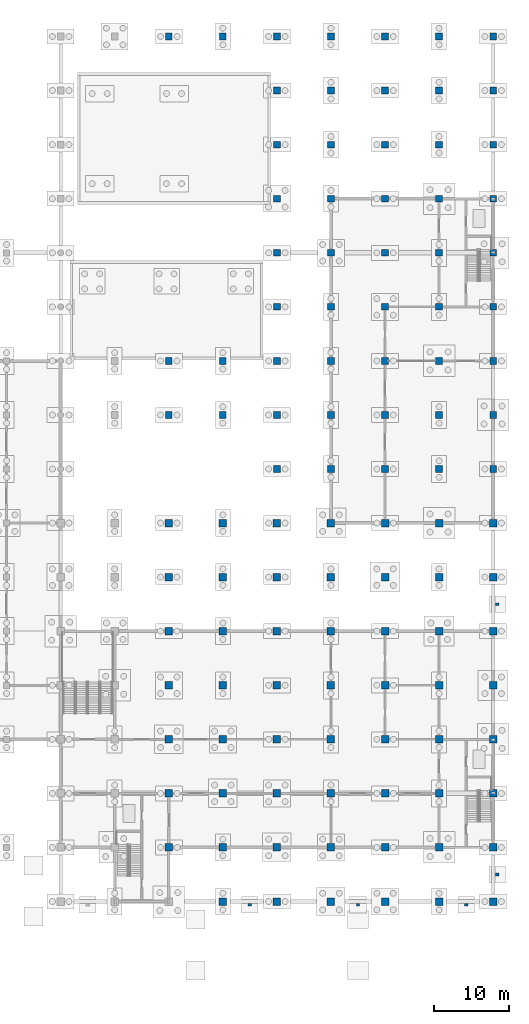
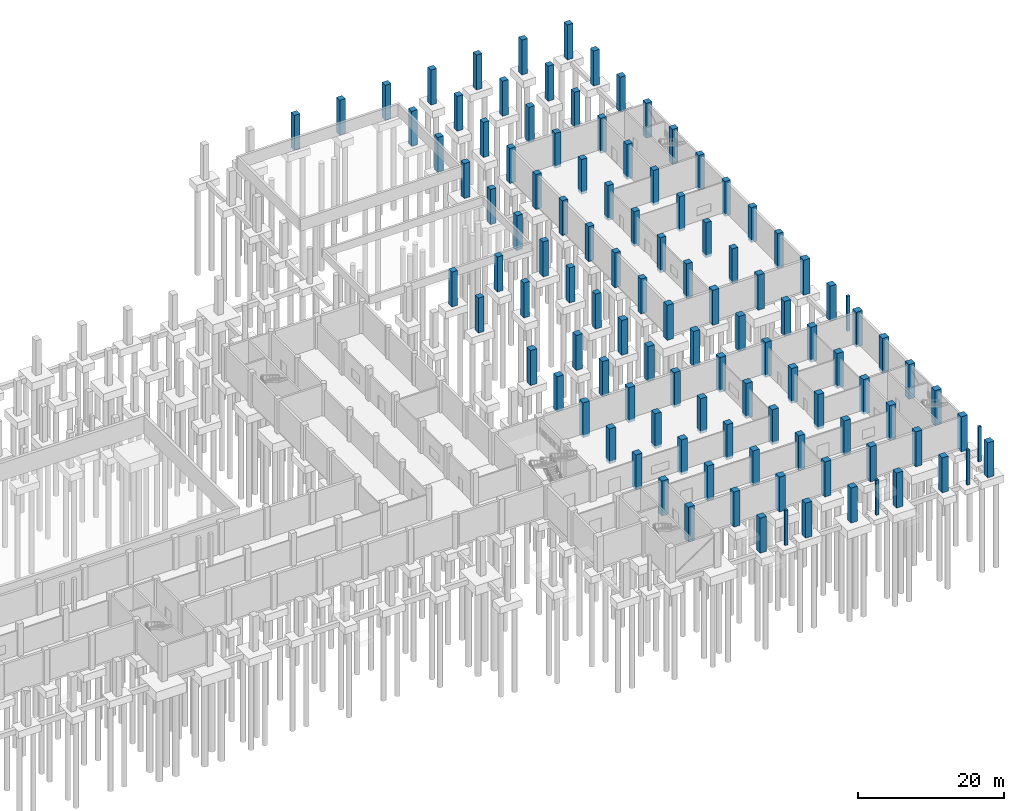
# One storey, part 12 of 35: 111 columns.
"""IFC4 building model written with IfcOpenShell, lengths in metres."""

from ifc_helpers import new_model, si_unit, direction, frame, origin, origin_2d, place, context, subcontext, project, spatial, rectangle, extrude, material, material_profile, profile_set, type_object, element, save


model = new_model("IFC4")

# Units and contexts
model_context = context("Model", 3, precision=1e-05, world=origin(), true_north=direction((0.0, 1.0)))
body_context = subcontext(model_context, "Body", "Model", "MODEL_VIEW")
ifc_project = project(units=[si_unit("LENGTHUNIT", "METRE"), si_unit("AREAUNIT", "SQUARE_METRE"), si_unit("VOLUMEUNIT", "CUBIC_METRE"), si_unit("PLANEANGLEUNIT", "RADIAN"), si_unit("MASSUNIT", "GRAM", prefix="KILO")], contexts=[model_context])

# Site, building, storey
site_placement = place(None, origin())
site = spatial("IfcSite", under=ifc_project, at=site_placement, CompositionType="ELEMENT")
building_placement = place(site_placement, origin())
building = spatial("IfcBuilding", under=site, at=building_placement, Name="Vesperath Aquatics Centre", CompositionType="ELEMENT")
storey_placement = place(building_placement, frame((0.0, 0.0, -5.39990234375)))
storey = spatial("IfcBuildingStorey", under=building, at=storey_placement, Name="B1", CompositionType="ELEMENT", Elevation=-5.39990234375)

# Columns
ifc_material = material(Name="Concrete C40", Category="concrete")
ifc_material_profile_1 = material_profile(ifc_material, rectangle(XDim=1.0, YDim=1.0, at=origin_2d()), Name="RC 1000x1000")
ifc_profile_set_1 = profile_set([ifc_material_profile_1], Name="Concrete C40")
column_type_1 = type_object("IfcColumnType", Name="CL-C02", PredefinedType="COLUMN", material=ifc_profile_set_1)
for number, where, z_axis, x_axis, name in (
    (1, (129.60009765625, 7.199951171875, -0.4501953125), (0.0, 0.0, 1.0), (1.0, 0.0, 0.0), "Column C02 B1 19/B"),
    (2, (129.60009765625, 14.39990234375, -0.4501953125), (0.0, 0.0, 1.0), (1.0, 0.0, 0.0), "Column C02 B1 19/C"),
    (3, (129.60009765625, 21.60009765625, -0.4501953125), (0.0, 0.0, 1.0), (1.0, 0.0, 0.0), "Column C02 B1 19/D"),
    (4, (129.60009765625, 28.800048828125, -0.4501953125), (0.0, 0.0, 1.0), (1.0, 0.0, 0.0), "Column C02 B1 19/E"),
    (5, (129.60009765625, 36.0, -0.4501953125), (0.0, 0.0, 1.0), (1.0, 0.0, 0.0), "Column C02 B1 19/F"),
    (6, (129.60009765625, 43.199951171875, -0.4501953125), (0.0, 0.0, 1.0), (1.0, 0.0, 0.0), "Column C02 B1 19/G"),
    (7, (129.60009765625, 50.39990234375, -0.4501953125), (0.0, 0.0, 1.0), (1.0, 0.0, 0.0), "Column C02 B1 19/H"),
    (8, (136.800048828125, 0.0, -0.4501953125), (0.0, 0.0, 1.0), (1.0, 0.0, 0.0), "Column C02 B1 20/A"),
    (9, (136.800048828125, 7.199951171875, -0.4501953125), (0.0, 0.0, 1.0), (1.0, 0.0, 0.0), "Column C02 B1 20/B"),
    (10, (136.800048828125, 14.39990234375, -0.4501953125), (0.0, 0.0, 1.0), (1.0, 0.0, 0.0), "Column C02 B1 20/C"),
    (11, (136.800048828125, 21.60009765625, -0.4501953125), (0.0, 0.0, 1.0), (1.0, 0.0, 0.0), "Column C02 B1 20/D"),
    (12, (136.800048828125, 28.800048828125, -0.4501953125), (0.0, 0.0, 1.0), (1.0, 0.0, 0.0), "Column C02 B1 20/E"),
    (13, (136.800048828125, 36.0, -0.4501953125), (0.0, 0.0, 1.0), (1.0, 0.0, 0.0), "Column C02 B1 20/F"),
    (14, (136.800048828125, 43.199951171875, -0.4501953125), (0.0, 0.0, 1.0), (1.0, 0.0, 0.0), "Column C02 B1 20/G"),
    (15, (136.800048828125, 50.39990234375, -0.4501953125), (0.0, 0.0, 1.0), (1.0, 0.0, 0.0), "Column C02 B1 20/H"),
    (16, (144.0, 0.0, -0.4501953125), (0.0, 0.0, 1.0), (1.0, 0.0, 0.0), "Column C02 B1 21/A"),
    (17, (144.0, 7.199951171875, -0.4501953125), (0.0, 0.0, 1.0), (1.0, 0.0, 0.0), "Column C02 B1 21/B"),
    (18, (144.0, 14.39990234375, -0.4501953125), (0.0, 0.0, 1.0), (1.0, 0.0, 0.0), "Column C02 B1 21/C"),
    (19, (144.0, 21.60009765625, -0.4501953125), (0.0, 0.0, 1.0), (1.0, 0.0, 0.0), "Column C02 B1 21/D"),
    (20, (144.0, 28.800048828125, -0.4501953125), (0.0, 0.0, 1.0), (1.0, 0.0, 0.0), "Column C02 B1 21/E"),
    (21, (144.0, 36.0, -0.4501953125), (0.0, 0.0, 1.0), (1.0, 0.0, 0.0), "Column C02 B1 21/F"),
    (22, (144.0, 43.199951171875, -0.4501953125), (0.0, 0.0, 1.0), (1.0, 0.0, 0.0), "Column C02 B1 21/G"),
    (23, (144.0, 50.39990234375, -0.4501953125), (0.0, 0.0, 1.0), (1.0, 0.0, 0.0), "Column C02 B1 21/H"),
    (24, (151.199951171875, 0.0, -0.4501953125), (0.0, 0.0, 1.0), (1.0, 0.0, 0.0), "Column C02 B1 22/A"),
    (25, (151.199951171875, 7.199951171875, -0.4501953125), (0.0, 0.0, 1.0), (1.0, 0.0, 0.0), "Column C02 B1 22/B"),
    (26, (151.199951171875, 14.39990234375, -0.4501953125), (0.0, 0.0, 1.0), (1.0, 0.0, 0.0), "Column C02 B1 22/C"),
    (27, (151.199951171875, 21.60009765625, -0.4501953125), (0.0, 0.0, 1.0), (1.0, 0.0, 0.0), "Column C02 B1 22/D"),
    (28, (151.199951171875, 28.800048828125, -0.4501953125), (0.0, 0.0, 1.0), (1.0, 0.0, 0.0), "Column C02 B1 22/E"),
    (29, (151.199951171875, 36.0, -0.4501953125), (0.0, 0.0, 1.0), (1.0, 0.0, 0.0), "Column C02 B1 22/F"),
    (30, (151.199951171875, 43.199951171875, -0.4501953125), (0.0, 0.0, 1.0), (1.0, 0.0, 0.0), "Column C02 B1 22/G"),
    (31, (151.199951171875, 50.39990234375, -0.4501953125), (0.0, 0.0, 1.0), (1.0, 0.0, 0.0), "Column C02 B1 22/H"),
    (32, (158.39990234375, 0.0, -0.4501953125), (0.0, 0.0, 1.0), (1.0, 0.0, 0.0), "Column C02 B1 23/A"),
    (33, (158.39990234375, 7.199951171875, -0.4501953125), (0.0, 0.0, 1.0), (1.0, 0.0, 0.0), "Column C02 B1 23/B"),
    (34, (158.39990234375, 14.39990234375, -0.4501953125), (0.0, 0.0, 1.0), (1.0, 0.0, 0.0), "Column C02 B1 23/C"),
    (35, (158.39990234375, 21.60009765625, -0.4501953125), (0.0, 0.0, 1.0), (1.0, 0.0, 0.0), "Column C02 B1 23/D"),
    (36, (158.39990234375, 28.800048828125, -0.4501953125), (0.0, 0.0, 1.0), (1.0, 0.0, 0.0), "Column C02 B1 23/E"),
    (37, (158.39990234375, 36.0, -0.4501953125), (0.0, 0.0, 1.0), (1.0, 0.0, 0.0), "Column C02 B1 23/F"),
    (38, (158.39990234375, 43.199951171875, -0.4501953125), (0.0, 0.0, 1.0), (1.0, 0.0, 0.0), "Column C02 B1 23/G"),
    (39, (158.39990234375, 50.39990234375, -0.4501953125), (0.0, 0.0, 1.0), (1.0, 0.0, 0.0), "Column C02 B1 23/H"),
    (40, (165.60009765625, 0.0, -0.4501953125), (0.0, 0.0, 1.0), (1.0, 0.0, 0.0), "Column C02 B1 24/A"),
    (41, (165.60009765625, 7.199951171875, -0.4501953125), (0.0, 0.0, 1.0), (1.0, 0.0, 0.0), "Column C02 B1 24/B"),
    (42, (165.60009765625, 14.39990234375, -0.4501953125), (0.0, 0.0, 1.0), (1.0, 0.0, 0.0), "Column C02 B1 24/C"),
    (43, (165.60009765625, 21.60009765625, -0.4501953125), (0.0, 0.0, 1.0), (1.0, 0.0, 0.0), "Column C02 B1 24/D"),
    (44, (165.60009765625, 28.800048828125, -0.4501953125), (0.0, 0.0, 1.0), (1.0, 0.0, 0.0), "Column C02 B1 24/E"),
    (45, (165.60009765625, 36.0, -0.4501953125), (0.0, 0.0, 1.0), (1.0, 0.0, 0.0), "Column C02 B1 24/F"),
    (46, (165.60009765625, 43.199951171875, -0.4501953125), (0.0, 0.0, 1.0), (1.0, 0.0, 0.0), "Column C02 B1 24/G"),
    (47, (165.60009765625, 50.39990234375, -0.4501953125), (0.0, 0.0, 1.0), (1.0, 0.0, 0.0), "Column C02 B1 24/H"),
    (48, (172.800048828125, 0.0, -0.4501953125), (0.0, 0.0, 1.0), (1.0, 0.0, 0.0), "Column C02 B1 25/A"),
    (49, (172.800048828125, 7.199951171875, -0.4501953125), (0.0, 0.0, 1.0), (1.0, 0.0, 0.0), "Column C02 B1 25/B"),
    (50, (172.800048828125, 14.39990234375, -0.4501953125), (0.0, 0.0, 1.0), (1.0, 0.0, 0.0), "Column C02 B1 25/C"),
    (51, (172.800048828125, 21.60009765625, -0.4501953125), (0.0, 0.0, 1.0), (1.0, 0.0, 0.0), "Column C02 B1 25/D"),
    (52, (172.800048828125, 28.800048828125, -0.4501953125), (0.0, 0.0, 1.0), (1.0, 0.0, 0.0), "Column C02 B1 25/E"),
    (53, (172.800048828125, 36.0, -0.4501953125), (0.0, 0.0, 1.0), (1.0, 0.0, 0.0), "Column C02 B1 25/F"),
    (54, (172.800048828125, 43.199951171875, -0.4501953125), (0.0, 0.0, 1.0), (1.0, 0.0, 0.0), "Column C02 B1 25/G"),
    (55, (172.800048828125, 50.39990234375, -0.4501953125), (0.0, 0.0, 1.0), (1.0, 0.0, 0.0), "Column C02 B1 25/H"),
):
    element("IfcColumn", number, at=place(storey_placement, frame(where, z_axis=z_axis, x_axis=x_axis)), inside=storey, type_object=column_type_1, Name=name, PredefinedType="COLUMN", context=body_context, shape_type="SweptSolid", body=[
        extrude(rectangle(XDim=1.0, YDim=1.0, at=origin_2d()), origin(), (0.0, 0.0, 1.0), 5.85009765625),
    ])
ifc_material_profile_2 = material_profile(ifc_material, rectangle(XDim=0.89990234375, YDim=0.89990234375, at=origin_2d()), Name="RC 900x900")
ifc_profile_set_2 = profile_set([ifc_material_profile_2], Name="Concrete C40")
column_type_2 = type_object("IfcColumnType", Name="CL-C03", PredefinedType="COLUMN", material=ifc_profile_set_2)
for number, where, z_axis, x_axis, name in (
    (56, (129.60009765625, 64.800048828125, -0.4501953125), (0.0, 0.0, 1.0), (1.0, 0.0, 0.0), "Column C03 B1 19/K"),
    (57, (129.60009765625, 72.0, -0.4501953125), (0.0, 0.0, 1.0), (1.0, 0.0, 0.0), "Column C03 B1 19/L"),
    (58, (129.60009765625, 115.199951171875, -0.4501953125), (0.0, 0.0, 1.0), (1.0, 0.0, 0.0), "Column C03 B1 19/S"),
    (59, (136.800048828125, 64.800048828125, -0.4501953125), (0.0, 0.0, 1.0), (1.0, 0.0, 0.0), "Column C03 B1 20/K"),
    (60, (136.800048828125, 72.0, -0.4501953125), (0.0, 0.0, 1.0), (1.0, 0.0, 0.0), "Column C03 B1 20/L"),
    (61, (136.800048828125, 115.199951171875, -0.4501953125), (0.0, 0.0, 1.0), (1.0, 0.0, 0.0), "Column C03 B1 20/S"),
    (62, (144.0, 57.60009765625, -0.4501953125), (0.0, 0.0, 1.0), (1.0, 0.0, 0.0), "Column C03 B1 21/J"),
    (63, (144.0, 64.800048828125, -0.4501953125), (0.0, 0.0, 1.0), (1.0, 0.0, 0.0), "Column C03 B1 21/K"),
    (64, (144.0, 72.0, -0.4501953125), (0.0, 0.0, 1.0), (1.0, 0.0, 0.0), "Column C03 B1 21/L"),
    (65, (144.0, 79.199951171875, -0.4501953125), (0.0, 0.0, 1.0), (1.0, 0.0, 0.0), "Column C03 B1 21/M"),
    (66, (144.0, 86.39990234375, -0.4501953125), (0.0, 0.0, 1.0), (1.0, 0.0, 0.0), "Column C03 B1 21/N"),
    (67, (144.0, 93.60009765625, -0.4501953125), (0.0, 0.0, 1.0), (1.0, 0.0, 0.0), "Column C03 B1 21/P"),
    (68, (144.0, 100.800048828125, -0.4501953125), (0.0, 0.0, 1.0), (1.0, 0.0, 0.0), "Column C03 B1 21/Q"),
    (69, (144.0, 108.0, -0.4501953125), (0.0, 0.0, 1.0), (1.0, 0.0, 0.0), "Column C03 B1 21/R"),
    (70, (144.0, 115.199951171875, -0.4501953125), (0.0, 0.0, 1.0), (1.0, 0.0, 0.0), "Column C03 B1 21/S"),
    (71, (151.199951171875, 57.60009765625, -0.4501953125), (0.0, 0.0, 1.0), (1.0, 0.0, 0.0), "Column C03 B1 22/J"),
    (72, (151.199951171875, 64.800048828125, -0.4501953125), (0.0, 0.0, 1.0), (1.0, 0.0, 0.0), "Column C03 B1 22/K"),
    (73, (151.199951171875, 72.0, -0.4501953125), (0.0, 0.0, 1.0), (1.0, 0.0, 0.0), "Column C03 B1 22/L"),
    (74, (151.199951171875, 79.199951171875, -0.4501953125), (0.0, 0.0, 1.0), (1.0, 0.0, 0.0), "Column C03 B1 22/M"),
    (75, (151.199951171875, 86.39990234375, -0.4501953125), (0.0, 0.0, 1.0), (1.0, 0.0, 0.0), "Column C03 B1 22/N"),
    (76, (151.199951171875, 93.60009765625, -0.4501953125), (0.0, 0.0, 1.0), (1.0, 0.0, 0.0), "Column C03 B1 22/P"),
    (77, (151.199951171875, 100.800048828125, -0.4501953125), (0.0, 0.0, 1.0), (1.0, 0.0, 0.0), "Column C03 B1 22/Q"),
    (78, (151.199951171875, 108.0, -0.4501953125), (0.0, 0.0, 1.0), (1.0, 0.0, 0.0), "Column C03 B1 22/R"),
    (79, (151.199951171875, 115.199951171875, -0.4501953125), (0.0, 0.0, 1.0), (1.0, 0.0, 0.0), "Column C03 B1 22/S"),
    (80, (158.39990234375, 57.60009765625, -0.4501953125), (0.0, 0.0, 1.0), (1.0, 0.0, 0.0), "Column C03 B1 23/J"),
    (81, (158.39990234375, 64.800048828125, -0.4501953125), (0.0, 0.0, 1.0), (1.0, 0.0, 0.0), "Column C03 B1 23/K"),
    (82, (158.39990234375, 72.0, -0.4501953125), (0.0, 0.0, 1.0), (1.0, 0.0, 0.0), "Column C03 B1 23/L"),
    (83, (158.39990234375, 79.199951171875, -0.4501953125), (0.0, 0.0, 1.0), (1.0, 0.0, 0.0), "Column C03 B1 23/M"),
    (84, (158.39990234375, 86.39990234375, -0.4501953125), (0.0, 0.0, 1.0), (1.0, 0.0, 0.0), "Column C03 B1 23/N"),
    (85, (158.39990234375, 93.60009765625, -0.4501953125), (0.0, 0.0, 1.0), (1.0, 0.0, 0.0), "Column C03 B1 23/P"),
    (86, (158.39990234375, 100.800048828125, -0.4501953125), (0.0, 0.0, 1.0), (1.0, 0.0, 0.0), "Column C03 B1 23/Q"),
    (87, (158.39990234375, 108.0, -0.4501953125), (0.0, 0.0, 1.0), (1.0, 0.0, 0.0), "Column C03 B1 23/R"),
    (88, (158.39990234375, 115.199951171875, -0.4501953125), (0.0, 0.0, 1.0), (1.0, 0.0, 0.0), "Column C03 B1 23/S"),
    (89, (165.60009765625, 57.60009765625, -0.4501953125), (0.0, 0.0, 1.0), (1.0, 0.0, 0.0), "Column C03 B1 24/J"),
    (90, (165.60009765625, 64.800048828125, -0.4501953125), (0.0, 0.0, 1.0), (1.0, 0.0, 0.0), "Column C03 B1 24/K"),
    (91, (165.60009765625, 72.0, -0.4501953125), (0.0, 0.0, 1.0), (1.0, 0.0, 0.0), "Column C03 B1 24/L"),
    (92, (165.60009765625, 79.199951171875, -0.4501953125), (0.0, 0.0, 1.0), (1.0, 0.0, 0.0), "Column C03 B1 24/M"),
    (93, (165.60009765625, 86.39990234375, -0.4501953125), (0.0, 0.0, 1.0), (1.0, 0.0, 0.0), "Column C03 B1 24/N"),
    (94, (165.60009765625, 93.60009765625, -0.4501953125), (0.0, 0.0, 1.0), (1.0, 0.0, 0.0), "Column C03 B1 24/P"),
    (95, (165.60009765625, 100.800048828125, -0.4501953125), (0.0, 0.0, 1.0), (1.0, 0.0, 0.0), "Column C03 B1 24/Q"),
    (96, (165.60009765625, 108.0, -0.4501953125), (0.0, 0.0, 1.0), (1.0, 0.0, 0.0), "Column C03 B1 24/R"),
    (97, (165.60009765625, 115.199951171875, -0.4501953125), (0.0, 0.0, 1.0), (1.0, 0.0, 0.0), "Column C03 B1 24/S"),
    (98, (172.800048828125, 57.60009765625, -0.4501953125), (0.0, 0.0, 1.0), (1.0, 0.0, 0.0), "Column C03 B1 25/J"),
    (99, (172.800048828125, 64.800048828125, -0.4501953125), (0.0, 0.0, 1.0), (1.0, 0.0, 0.0), "Column C03 B1 25/K"),
    (100, (172.800048828125, 72.0, -0.4501953125), (0.0, 0.0, 1.0), (1.0, 0.0, 0.0), "Column C03 B1 25/L"),
    (101, (172.800048828125, 79.199951171875, -0.4501953125), (0.0, 0.0, 1.0), (1.0, 0.0, 0.0), "Column C03 B1 25/M"),
    (102, (172.800048828125, 86.39990234375, -0.4501953125), (0.0, 0.0, 1.0), (1.0, 0.0, 0.0), "Column C03 B1 25/N"),
    (103, (172.800048828125, 93.60009765625, -0.4501953125), (0.0, 0.0, 1.0), (1.0, 0.0, 0.0), "Column C03 B1 25/P"),
    (104, (172.800048828125, 100.800048828125, -0.4501953125), (0.0, 0.0, 1.0), (1.0, 0.0, 0.0), "Column C03 B1 25/Q"),
    (105, (172.800048828125, 108.0, -0.4501953125), (0.0, 0.0, 1.0), (1.0, 0.0, 0.0), "Column C03 B1 25/R"),
    (106, (172.800048828125, 115.199951171875, -0.4501953125), (0.0, 0.0, 1.0), (1.0, 0.0, 0.0), "Column C03 B1 25/S"),
):
    element("IfcColumn", number, at=place(storey_placement, frame(where, z_axis=z_axis, x_axis=x_axis)), inside=storey, type_object=column_type_2, Name=name, PredefinedType="COLUMN", context=body_context, shape_type="SweptSolid", body=[
        extrude(rectangle(XDim=0.89990234375, YDim=0.89990234375, at=origin_2d()), origin(), (0.0, 0.0, 1.0), 5.85009765625),
    ])
ifc_material_profile_3 = material_profile(ifc_material, rectangle(XDim=0.449951171875, YDim=0.35009765625, at=origin_2d()), Name="CL-PL01")
ifc_profile_set_3 = profile_set([ifc_material_profile_3], Name="Concrete C40")
column_type_3 = type_object("IfcColumnType", Name="CL-PL01", PredefinedType="PILASTER", material=ifc_profile_set_3)
for number, where, z_axis, x_axis, name in (
    (107, (140.39990234375, -0.449951171875, -0.4501953125), (0.0, 0.0, 1.0), (1.0, 0.0, 0.0), "Granite Plinth Sub-Pilaster PLS1-B1-02"),
    (108, (154.800048828125, -0.449951171875, -0.4501953125), (0.0, 0.0, 1.0), (1.0, 0.0, 0.0), "Granite Plinth Sub-Pilaster PLS1-B1-03"),
    (109, (169.199951171875, -0.449951171875, -0.4501953125), (0.0, 0.0, 1.0), (1.0, 0.0, 0.0), "Granite Plinth Sub-Pilaster PLS1-B1-04"),
    (110, (173.35009765625, 3.60009765625, -0.4501953125), (0.0, 0.0, 1.0), (1.0, 0.0, 0.0), "Granite Plinth Sub-Pilaster PLS1-B1-05"),
    (111, (173.35009765625, 39.60009765625, -0.4501953125), (0.0, 0.0, 1.0), (1.0, 0.0, 0.0), "Granite Plinth Sub-Pilaster PLS1-B1-06"),
):
    element("IfcColumn", number, at=place(storey_placement, frame(where, z_axis=z_axis, x_axis=x_axis)), inside=storey, type_object=column_type_3, Name=name, PredefinedType="PILASTER", context=body_context, shape_type="SweptSolid", body=[
        extrude(rectangle(XDim=0.449951171875, YDim=0.35009765625, at=origin_2d()), origin(), (0.0, 0.0, 1.0), 5.85009765625),
    ])

save(model, "model.ifc")
